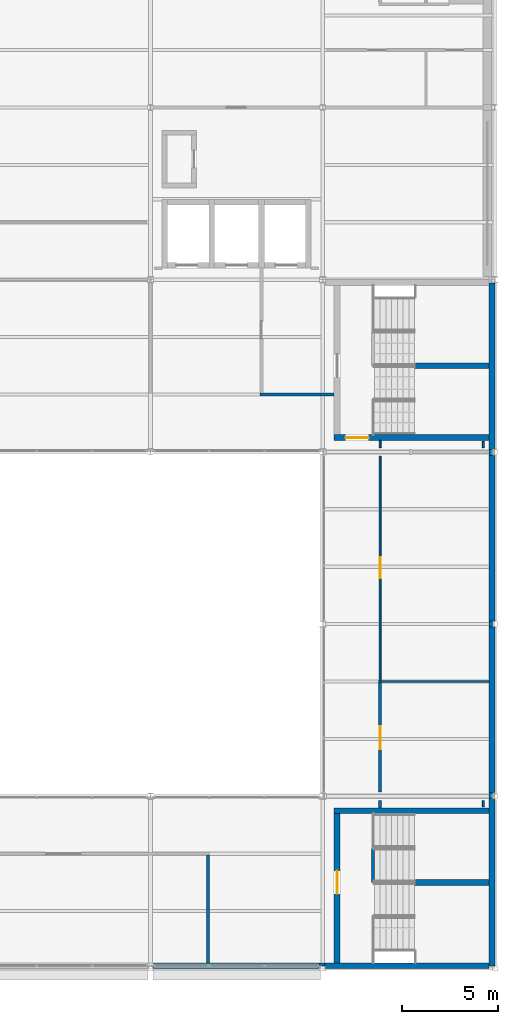
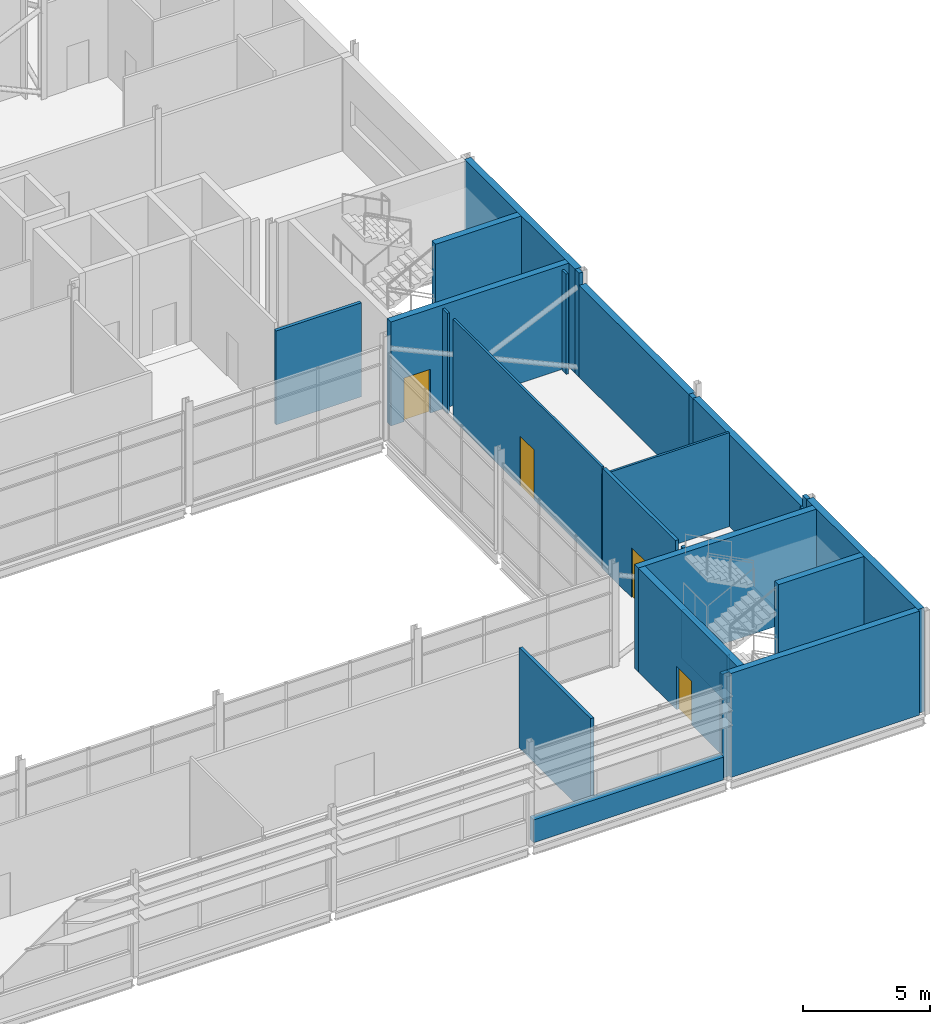
# One storey, part 49 of 61: 25 walls, 4 doors, 4 openings.
"""IFC4 building model written with IfcOpenShell, lengths in metres."""

from ifc_helpers import new_model, si_unit, direction, frame, frame_2d, origin, place, context, subcontext, project, spatial, rectangle, extrude, material, layer, layer_set, type_object, element, fill, save


model = new_model("IFC4")

# Units and contexts
model_context = context("Model", 3, precision=1e-05, world=origin(), true_north=direction((0.0, 1.0)))
body_context = subcontext(model_context, "Body", "Model", "MODEL_VIEW")
ifc_project = project(units=[si_unit("LENGTHUNIT", "METRE"), si_unit("AREAUNIT", "SQUARE_METRE"), si_unit("VOLUMEUNIT", "CUBIC_METRE"), si_unit("PLANEANGLEUNIT", "RADIAN"), si_unit("MASSUNIT", "GRAM", prefix="KILO")], contexts=[model_context])

# Site, building, storey
site_placement = place(None, origin())
site = spatial("IfcSite", under=ifc_project, at=site_placement, CompositionType="ELEMENT")
building_placement = place(site_placement, origin())
building = spatial("IfcBuilding", under=site, at=building_placement, Name="Shorebreak Coast Museum", CompositionType="ELEMENT")
storey_placement = place(building_placement, frame((0.0, 0.0, 26.0)))
storey = spatial("IfcBuildingStorey", under=building, at=storey_placement, Name="L04", CompositionType="ELEMENT", Elevation=26.0)

# Walls
ifc_material_1 = material(Name="Concrete N50 (50 MPa)", Category="concrete")
ifc_layer_1 = layer(ifc_material_1, 0.175048828125)
ifc_layer_set_1 = layer_set([ifc_layer_1], Name="Concrete N50 (50 MPa)")
wall_type_1 = type_object("IfcWallType", Name="Column closure panel 175", PredefinedType="SOLIDWALL", material=ifc_layer_set_1)
for number, where, z_axis, x_axis, name in (
    (1, (107.802978515625, 54.21240234375, 0.0), (0.0, 0.0, 1.0), (1.0, 0.0, 0.0), "Column closure panel L04 S 13G"),
    (2, (116.78759765625, 62.875, 0.0), (0.0, 0.0, 1.0), (0.0, 1.0, 0.0), "Column closure panel L04 E 14H"),
):
    element("IfcWall", number, at=place(storey_placement, frame(where, z_axis=z_axis, x_axis=x_axis)), inside=storey, type_object=wall_type_1, Name=name, PredefinedType="SOLIDWALL", context=body_context, shape_type="SweptSolid", body=[
        extrude(rectangle(XDim=0.322021484375, YDim=0.175048828125, at=frame_2d((0.1611328125, 0.0))), origin(), (0.0, 0.0, 1.0), 5.0),
    ])
wall_1_placement = place(storey_placement, frame((116.78759765625, 71.839111328125, 0.0), z_axis=(0.0, 0.0, 1.0), x_axis=(0.0, 1.0, 0.0)))
element("IfcWall", 3, at=wall_1_placement, inside=storey, type_object=wall_type_1, Name="Column closure panel L04 E 14J", PredefinedType="SOLIDWALL", context=body_context, shape_type="SweptSolid", body=[
    extrude(rectangle(XDim=0.32177734375, YDim=0.175048828125, at=frame_2d((0.160888671875, 0.0))), origin(), (0.0, 0.0, 1.0), 4.418701171875),
])
wall_2_placement = place(storey_placement, frame((116.78759765625, 80.802978515625, 0.0), z_axis=(0.0, 0.0, 1.0), x_axis=(0.0, 1.0, 0.0)))
element("IfcWall", 4, at=wall_2_placement, inside=storey, type_object=wall_type_1, Name="Column closure panel L04 E 14K", PredefinedType="SOLIDWALL", context=body_context, shape_type="SweptSolid", body=[
    extrude(rectangle(XDim=0.322021484375, YDim=0.175048828125, at=frame_2d((0.1611328125, 0.0))), origin(), (0.0, 0.0, 1.0), 5.0),
])
ifc_material_2 = material(Name="Plasterboard on steel stud", Category="steel")
ifc_layer_2 = layer(ifc_material_2, 0.14990234375)
ifc_layer_set_2 = layer_set([ifc_layer_2], Name="Plasterboard on steel stud")
wall_type_2 = type_object("IfcWallType", Name="Fire partition 150", PredefinedType="PARTITIONING", material=ifc_layer_set_2)
wall_3_placement = place(storey_placement, frame((104.72509765625, 84.0, 0.0), z_axis=(0.0, 0.0, 1.0), x_axis=(1.0, 0.0, 0.0)))
element("IfcWall", 5, at=wall_3_placement, inside=storey, type_object=wall_type_2, Name="Partition L04-006", PredefinedType="PARTITIONING", context=body_context, shape_type="SweptSolid", body=[
    extrude(rectangle(XDim=3.875, YDim=0.14990234375, at=frame_2d((1.9375, 0.0))), origin(), (0.0, 0.0, 1.0), 4.52099609375),
])
wall_4_placement = place(storey_placement, frame((102.0, 54.300048828125, 0.0), z_axis=(0.0, 0.0, 1.0), x_axis=(0.0, 1.0, 0.0)))
element("IfcWall", 6, at=wall_4_placement, inside=storey, type_object=wall_type_2, Name="Partition L04-049", PredefinedType="PARTITIONING", context=body_context, shape_type="SweptSolid", body=[
    extrude(rectangle(XDim=5.625, YDim=0.14990234375, at=frame_2d((2.8125, 0.0))), origin(), (0.0, 0.0, 1.0), 4.824951171875),
])
wall_5_placement = place(storey_placement, frame((111.0, 62.39990234375, 0.0), z_axis=(0.0, 0.0, 1.0), x_axis=(0.0, 1.0, 0.0)))
element("IfcWall", 7, at=wall_5_placement, inside=storey, type_object=wall_type_2, Name="Partition L04-052", PredefinedType="PARTITIONING", context=body_context, shape_type="SweptSolid", body=[
    extrude(rectangle(XDim=0.380126953125, YDim=0.14990234375, at=frame_2d((0.18994140625, 0.0))), origin(), (0.0, 0.0, 1.0), 4.824951171875),
])

# Wall, opening, door
wall_6_placement = place(storey_placement, frame((111.0, 63.219970703125, 0.0), z_axis=(0.0, 0.0, 1.0), x_axis=(0.0, 1.0, 0.0)))
wall_6 = element("IfcWall", 8, at=wall_6_placement, inside=storey, type_object=wall_type_2, Name="Partition L04-053", PredefinedType="PARTITIONING", context=body_context, shape_type="SweptSolid", body=[
    extrude(rectangle(XDim=5.72998046875, YDim=0.14990234375, at=frame_2d((2.864990234375, 0.0))), origin(), (0.0, 0.0, 1.0), 4.824951171875),
])
opening_1_placement = place(wall_6_placement, frame((2.25, 0.0, 0.0)))
opening_1 = element("IfcOpeningElement", 9, at=opening_1_placement, cuts=wall_6, Name="Opening D4007", PredefinedType="OPENING", context=body_context, shape_type="SweptSolid", body=[
    extrude(rectangle(XDim=1.199951171875, YDim=2.39990234375, at=frame_2d((0.60009765625, 1.199951171875))), frame((0.0, 0.0849609375, 0.0), z_axis=(0.0, -1.0, 0.0), x_axis=(1.0, 0.0, 0.0)), (0.0, 0.0, 1.0), 0.169921875),
])
ifc_material_3 = material(Name="Steel", Category="steel")
door_type_1 = type_object("IfcDoorType", Name="Fire door 1200x2400 60", OperationType="SINGLE_SWING_LEFT", PredefinedType="DOOR", material=ifc_material_3)
door_1_placement = place(opening_1_placement, origin())
door_1 = element("IfcDoor", 10, at=door_1_placement, inside=storey, type_object=door_type_1, Name="Door D4007 Sculpture Gallery 4.02", OperationType="SINGLE_SWING_RIGHT", OverallHeight=2.39990234375, OverallWidth=1.199951171875, PredefinedType="DOOR", context=body_context, shape_type="SweptSolid", body=[
    extrude(rectangle(XDim=1.199951171875, YDim=2.39990234375, at=frame_2d((0.60009765625, 1.199951171875))), frame((0.0, 0.02490234375, 0.0), z_axis=(0.0, -1.0, 0.0), x_axis=(1.0, 0.0, 0.0)), (0.0, 0.0, 1.0), 0.050048828125),
])
fill(opening_1, door_1)

# Wall
ifc_material_4 = material(Name="Plasterboard on steel stud", Category="steel")
ifc_layer_3 = layer(ifc_material_4, 0.10009765625)
ifc_layer_set_3 = layer_set([ifc_layer_3], Name="Plasterboard on steel stud")
wall_type_3 = type_object("IfcWallType", Name="Partition 100", PredefinedType="PARTITIONING", material=ifc_layer_set_3)
wall_7_placement = place(storey_placement, frame((110.925048828125, 69.0, 0.0), z_axis=(0.0, 0.0, 1.0), x_axis=(1.0, 0.0, 0.0)))
element("IfcWall", 11, at=wall_7_placement, inside=storey, type_object=wall_type_3, Name="Partition L04-003", PredefinedType="PARTITIONING", context=body_context, shape_type="SweptSolid", body=[
    extrude(rectangle(XDim=5.77490234375, YDim=0.10009765625, at=frame_2d((2.887451171875, 0.0))), origin(), (0.0, 0.0, 1.0), 4.52099609375),
])

# Wall, opening, door
wall_8_placement = place(storey_placement, frame((111.0, 69.050048828125, 0.0), z_axis=(0.0, 0.0, 1.0), x_axis=(0.0, 1.0, 0.0)))
wall_8 = element("IfcWall", 12, at=wall_8_placement, inside=storey, type_object=wall_type_3, Name="Partition L04-054", PredefinedType="PARTITIONING", context=body_context, shape_type="SweptSolid", body=[
    extrude(rectangle(XDim=11.72998046875, YDim=0.10009765625, at=frame_2d((5.864990234375, 0.0))), origin(), (0.0, 0.0, 1.0), 4.824951171875),
])
opening_2_placement = place(wall_8_placement, frame((5.35009765625, 0.0, 0.0)))
opening_2 = element("IfcOpeningElement", 13, at=opening_2_placement, cuts=wall_8, Name="Opening D4008", PredefinedType="OPENING", context=body_context, shape_type="SweptSolid", body=[
    extrude(rectangle(XDim=1.10009765625, YDim=2.39990234375, at=frame_2d((0.550048828125, 1.199951171875))), frame((0.0, 0.06005859375, 0.0), z_axis=(0.0, -1.0, 0.0), x_axis=(1.0, 0.0, 0.0)), (0.0, 0.0, 1.0), 0.1201171875),
])
ifc_material_5 = material(Name="Timber", Category="wood")
door_type_2 = type_object("IfcDoorType", Name="Interior door 1100x2400", OperationType="SINGLE_SWING_LEFT", PredefinedType="DOOR", material=ifc_material_5)
door_2_placement = place(opening_2_placement, origin())
door_2 = element("IfcDoor", 14, at=door_2_placement, inside=storey, type_object=door_type_2, Name="Door D4008 Study Office 4.01", OperationType="SINGLE_SWING_LEFT", OverallHeight=2.39990234375, OverallWidth=1.10009765625, PredefinedType="DOOR", context=body_context, shape_type="SweptSolid", body=[
    extrude(rectangle(XDim=1.10009765625, YDim=2.39990234375, at=frame_2d((0.550048828125, 1.199951171875))), frame((0.0, 0.02490234375, 0.0), z_axis=(0.0, -1.0, 0.0), x_axis=(1.0, 0.0, 0.0)), (0.0, 0.0, 1.0), 0.050048828125),
])
fill(opening_2, door_2)

# Walls
wall_9_placement = place(storey_placement, frame((111.0, 81.219970703125, 0.0), z_axis=(0.0, 0.0, 1.0), x_axis=(0.0, 1.0, 0.0)))
element("IfcWall", 15, at=wall_9_placement, inside=storey, type_object=wall_type_3, Name="Partition L04-055", PredefinedType="PARTITIONING", context=body_context, shape_type="SweptSolid", body=[
    extrude(rectangle(XDim=0.380126953125, YDim=0.10009765625, at=frame_2d((0.18994140625, 0.0))), origin(), (0.0, 0.0, 1.0), 4.824951171875),
])
for number, where, z_axis, x_axis, name in (
    (16, (116.39990234375, 62.449951171875, 0.0), (0.0, 0.0, 1.0), (0.0, 1.0, 0.0), "Partition L04-059"),
    (17, (116.39990234375, 81.219970703125, 0.0), (0.0, 0.0, 1.0), (0.0, 1.0, 0.0), "Partition L04-060"),
):
    element("IfcWall", number, at=place(storey_placement, frame(where, z_axis=z_axis, x_axis=x_axis)), inside=storey, type_object=wall_type_3, Name=name, PredefinedType="PARTITIONING", context=body_context, shape_type="SweptSolid", body=[
        extrude(rectangle(XDim=0.330078125, YDim=0.10009765625, at=frame_2d((0.1650390625, 0.0))), origin(), (0.0, 0.0, 1.0), 4.824951171875),
    ])
ifc_material_6 = material(Name="Concrete N50 (50 MPa)", Category="concrete")
ifc_layer_4 = layer(ifc_material_6, 0.300048828125)
ifc_layer_set_4 = layer_set([ifc_layer_4], Name="Concrete N50 (50 MPa)")
wall_type_4 = type_object("IfcWallType", Name="Precast board-marked panel 300", PredefinedType="SOLIDWALL", material=ifc_layer_set_4)
wall_10_placement = place(storey_placement, frame((99.160888671875, 54.14990234375, 0.0), z_axis=(0.0, 0.0, 1.0), x_axis=(1.0, 0.0, 0.0)))
element("IfcWall", 18, at=wall_10_placement, inside=storey, type_object=wall_type_4, Name="External wall L04 S 12G", PredefinedType="SOLIDWALL", context=body_context, shape_type="SweptSolid", body=[
    extrude(rectangle(XDim=8.64208984375, YDim=0.300048828125, at=frame_2d((4.321044921875, 0.0))), origin(), (0.0, 0.0, 1.0), 1.10009765625),
])
for number, where, z_axis, x_axis, name in (
    (19, (116.85009765625, 63.197021484375, 0.0), (0.0, 0.0, 1.0), (0.0, 1.0, 0.0), "External wall L04 E 14H"),
    (20, (116.85009765625, 72.160888671875, 0.0), (0.0, 0.0, 1.0), (0.0, 1.0, 0.0), "External wall L04 E 14J"),
):
    element("IfcWall", number, at=place(storey_placement, frame(where, z_axis=z_axis, x_axis=x_axis)), inside=storey, type_object=wall_type_4, Name=name, PredefinedType="SOLIDWALL", context=body_context, shape_type="SweptSolid", body=[
        extrude(rectangle(XDim=8.64208984375, YDim=0.300048828125, at=frame_2d((4.321044921875, 0.0))), origin(), (0.0, 0.0, 1.0), 4.418701171875),
    ])
ifc_material_7 = material(Name="Concrete N50 (50 MPa)", Category="concrete")
ifc_layer_5 = layer(ifc_material_7, 0.300048828125)
ifc_layer_set_5 = layer_set([ifc_layer_5], Name="Concrete N50 (50 MPa)")
wall_type_5 = type_object("IfcWallType", Name="RC wall 300", PredefinedType="SHEAR", material=ifc_layer_set_5)
wall_11_placement = place(storey_placement, frame((108.125, 54.14990234375, 0.0), z_axis=(0.0, 0.0, 1.0), x_axis=(1.0, 0.0, 0.0)))
element("IfcWall", 21, at=wall_11_placement, inside=storey, type_object=wall_type_5, Name="Stair core wall ST02 L04 S", PredefinedType="SHEAR", context=body_context, shape_type="SweptSolid", body=[
    extrude(rectangle(XDim=8.574951171875, YDim=0.300048828125, at=frame_2d((4.28759765625, 0.0))), origin(), (0.0, 0.0, 1.0), 5.0),
])
wall_12_placement = place(storey_placement, frame((108.60009765625, 62.25, 0.0), z_axis=(0.0, 0.0, 1.0), x_axis=(1.0, 0.0, 0.0)))
element("IfcWall", 22, at=wall_12_placement, inside=storey, type_object=wall_type_5, Name="Stair core wall ST02 L04 N", PredefinedType="SHEAR", context=body_context, shape_type="SweptSolid", body=[
    extrude(rectangle(XDim=8.099853515625, YDim=0.300048828125, at=frame_2d((4.0498046875, 0.0))), origin(), (0.0, 0.0, 1.0), 5.0),
])

# Wall, opening, door
wall_13_placement = place(storey_placement, frame((108.75, 54.300048828125, 0.0), z_axis=(0.0, 0.0, 1.0), x_axis=(0.0, 1.0, 0.0)))
wall_13 = element("IfcWall", 23, at=wall_13_placement, inside=storey, type_object=wall_type_5, Name="Stair core wall ST02 L04 W", PredefinedType="SHEAR", context=body_context, shape_type="SweptSolid", body=[
    extrude(rectangle(XDim=7.800048828125, YDim=0.300048828125, at=frame_2d((3.89990234375, 0.0))), origin(), (0.0, 0.0, 1.0), 5.0),
])
opening_3_placement = place(wall_13_placement, frame((3.60009765625, 0.0, 0.0)))
opening_3 = element("IfcOpeningElement", 24, at=opening_3_placement, cuts=wall_13, Name="Opening D4802", PredefinedType="OPENING", context=body_context, shape_type="SweptSolid", body=[
    extrude(rectangle(XDim=1.199951171875, YDim=2.10009765625, at=frame_2d((0.60009765625, 1.050048828125))), frame((0.0, 0.159912109375, 0.0), z_axis=(0.0, -1.0, 0.0), x_axis=(1.0, 0.0, 0.0)), (0.0, 0.0, 1.0), 0.320068359375),
])
ifc_material_8 = material(Name="Steel Grade 300", Category="steel")
door_type_3 = type_object("IfcDoorType", Name="Fire door 1200x2100", OperationType="SINGLE_SWING_LEFT", PredefinedType="DOOR", material=ifc_material_8)
door_3_placement = place(opening_3_placement, origin())
door_3 = element("IfcDoor", 25, at=door_3_placement, inside=storey, type_object=door_type_3, Name="Stair door ST02 L04", OperationType="SINGLE_SWING_RIGHT", OverallHeight=2.10009765625, OverallWidth=1.199951171875, PredefinedType="DOOR", context=body_context, shape_type="SweptSolid", body=[
    extrude(rectangle(XDim=1.199951171875, YDim=2.10009765625, at=frame_2d((0.60009765625, 1.050048828125))), frame((0.0, 0.02490234375, 0.0), z_axis=(0.0, -1.0, 0.0), x_axis=(1.0, 0.0, 0.0)), (0.0, 0.0, 1.0), 0.050048828125),
])
fill(opening_3, door_3)

# Wall
wall_14_placement = place(storey_placement, frame((116.85009765625, 54.125, 0.0), z_axis=(0.0, 0.0, 1.0), x_axis=(0.0, 1.0, 0.0)))
element("IfcWall", 26, at=wall_14_placement, inside=storey, type_object=wall_type_5, Name="Stair core wall ST02 L04 E", PredefinedType="SHEAR", context=body_context, shape_type="SweptSolid", body=[
    extrude(rectangle(XDim=8.75, YDim=0.300048828125, at=frame_2d((4.375, 0.0))), origin(), (0.0, 0.0, 1.0), 5.0),
])

# Wall, opening, door
wall_15_placement = place(storey_placement, frame((108.60009765625, 81.75, 0.0), z_axis=(0.0, 0.0, 1.0), x_axis=(1.0, 0.0, 0.0)))
wall_15 = element("IfcWall", 27, at=wall_15_placement, inside=storey, type_object=wall_type_5, Name="Stair core wall ST04 L04 S", PredefinedType="SHEAR", context=body_context, shape_type="SweptSolid", body=[
    extrude(rectangle(XDim=8.099853515625, YDim=0.300048828125, at=frame_2d((4.0498046875, 0.0))), origin(), (0.0, 0.0, 1.0), 5.0),
])
opening_4_placement = place(wall_15_placement, frame((0.60009765625, 0.0, 0.0)))
opening_4 = element("IfcOpeningElement", 28, at=opening_4_placement, cuts=wall_15, Name="Opening D4704", PredefinedType="OPENING", context=body_context, shape_type="SweptSolid", body=[
    extrude(rectangle(XDim=1.199951171875, YDim=2.10009765625, at=frame_2d((0.60009765625, 1.050048828125))), frame((0.0, 0.159912109375, 0.0), z_axis=(0.0, -1.0, 0.0), x_axis=(1.0, 0.0, 0.0)), (0.0, 0.0, 1.0), 0.320068359375),
])
door_4_placement = place(opening_4_placement, origin())
door_4 = element("IfcDoor", 29, at=door_4_placement, inside=storey, type_object=door_type_3, Name="Stair door ST04 L04 south", OperationType="SINGLE_SWING_RIGHT", OverallHeight=2.10009765625, OverallWidth=1.199951171875, PredefinedType="DOOR", context=body_context, shape_type="SweptSolid", body=[
    extrude(rectangle(XDim=1.199951171875, YDim=2.10009765625, at=frame_2d((0.60009765625, 1.050048828125))), frame((0.0, 0.02490234375, 0.0), z_axis=(0.0, -1.0, 0.0), x_axis=(1.0, 0.0, 0.0)), (0.0, 0.0, 1.0), 0.050048828125),
])
fill(opening_4, door_4)

# Walls
wall_16_placement = place(storey_placement, frame((116.85009765625, 81.125, 0.0), z_axis=(0.0, 0.0, 1.0), x_axis=(0.0, 1.0, 0.0)))
element("IfcWall", 30, at=wall_16_placement, inside=storey, type_object=wall_type_5, Name="Stair core wall ST04 L04 E", PredefinedType="SHEAR", context=body_context, shape_type="SweptSolid", body=[
    extrude(rectangle(XDim=8.71142578125, YDim=0.300048828125, at=frame_2d((4.355712890625, 0.0))), origin(), (0.0, 0.0, 1.0), 5.0),
])
for number, where, z_axis, x_axis, name in (
    (31, (112.800048828125, 58.5, 0.0), (0.0, 0.0, 1.0), (1.0, 0.0, 0.0), "Stair spine wall ST02 L04"),
    (32, (112.800048828125, 85.5, 0.0), (0.0, 0.0, 1.0), (1.0, 0.0, 0.0), "Stair spine wall ST04 L04"),
):
    element("IfcWall", number, at=place(storey_placement, frame(where, z_axis=z_axis, x_axis=x_axis)), inside=storey, type_object=wall_type_5, Name=name, PredefinedType="SHEAR", context=body_context, shape_type="SweptSolid", body=[
        extrude(rectangle(XDim=3.89990234375, YDim=0.300048828125, at=frame_2d((1.949951171875, 0.0))), origin(), (0.0, 0.0, 1.0), 5.0),
    ])
ifc_material_9 = material(Name="Concrete N50 (50 MPa)", Category="concrete")
ifc_layer_6 = layer(ifc_material_9, 0.14990234375)
ifc_layer_set_6 = layer_set([ifc_layer_6], Name="Concrete N50 (50 MPa)")
wall_type_6 = type_object("IfcWallType", Name="Understair wall 150", PredefinedType="STANDARD", material=ifc_layer_set_6)
wall_17_placement = place(storey_placement, frame((110.625, 58.5, 0.0), z_axis=(0.0, 0.0, 1.0), x_axis=(0.0, 1.0, 0.0)))
element("IfcWall", 33, at=wall_17_placement, inside=storey, type_object=wall_type_6, Name="Understair wall ST02 L04 floor", PredefinedType="STANDARD", context=body_context, shape_type="SweptSolid", body=[
    extrude(rectangle(XDim=3.60009765625, YDim=0.14990234375, at=frame_2d((1.800048828125, 0.0))), origin(), (0.0, 0.0, 1.0), 2.300048828125),
])

save(model, "model.ifc")
